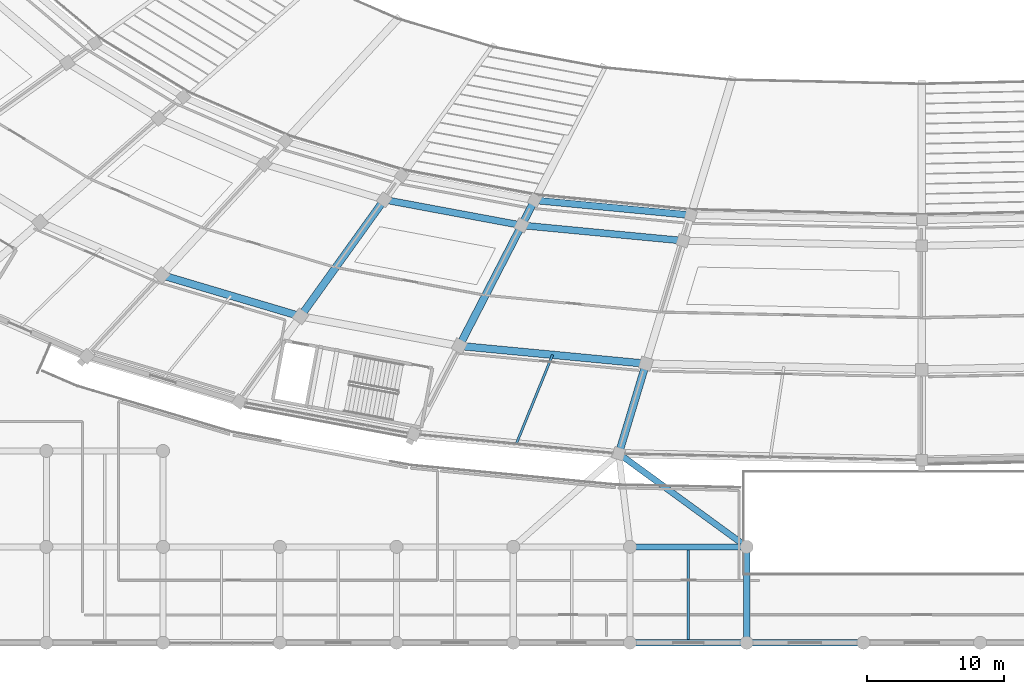
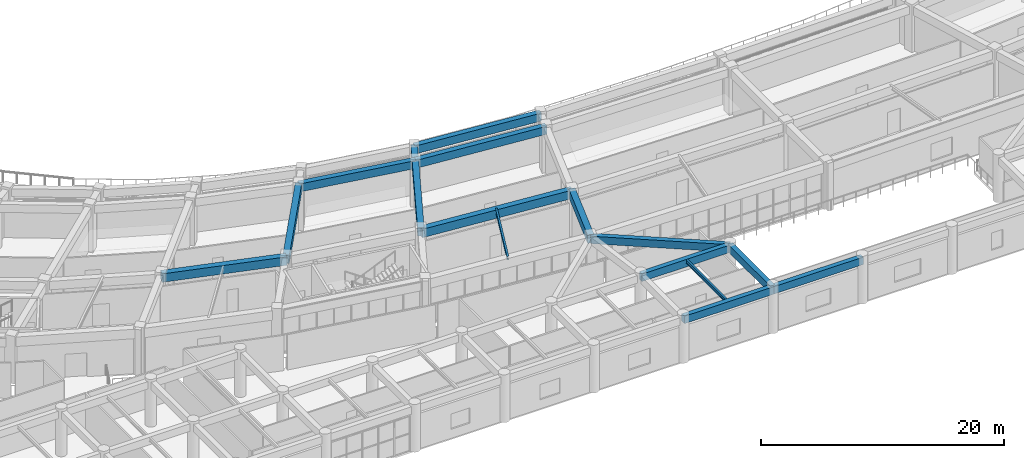
# One storey, part 23 of 152: 16 beams.
"""IFC4 building model written with IfcOpenShell, lengths in metres."""

from ifc_helpers import new_model, si_unit, direction, frame, origin, origin_2d, place, context, subcontext, project, spatial, rectangle, i_section, extrude, material, material_profile, profile_set, type_object, element, save


model = new_model("IFC4")

# Units and contexts
model_context = context("Model", 3, precision=1e-05, world=origin(), true_north=direction((0.0, 1.0)))
body_context = subcontext(model_context, "Body", "Model", "MODEL_VIEW")
ifc_project = project(units=[si_unit("LENGTHUNIT", "METRE"), si_unit("AREAUNIT", "SQUARE_METRE"), si_unit("VOLUMEUNIT", "CUBIC_METRE"), si_unit("PLANEANGLEUNIT", "RADIAN"), si_unit("MASSUNIT", "GRAM", prefix="KILO")], contexts=[model_context])

# Site, building, storey
site_placement = place(None, origin())
site = spatial("IfcSite", under=ifc_project, at=site_placement, CompositionType="ELEMENT")
building_placement = place(site_placement, origin())
building = spatial("IfcBuilding", under=site, at=building_placement, Name="Mphavela Belvedere Stadium", CompositionType="ELEMENT")
storey_placement = place(building_placement, frame((0.0, 0.0, 5.39990234375)))
storey = spatial("IfcBuildingStorey", under=building, at=storey_placement, Name="L01", CompositionType="ELEMENT", Elevation=5.39990234375)

# Beams
ifc_material_1 = material(Name="Steel S355", Category="steel")
ifc_material_profile_1 = material_profile(ifc_material_1, i_section(OverallWidth=0.169921875, OverallDepth=0.360107421875, WebThickness=0.008056640625, FlangeThickness=0.0126953125, at=origin_2d()), Name="IPE 360")
ifc_profile_set_1 = profile_set([ifc_material_profile_1], Name="Steel S355")
beam_type_1 = type_object("IfcBeamType", Name="BM-JOIST-IPE360", PredefinedType="JOIST", material=ifc_profile_set_1)
beam_1_placement = place(storey_placement, frame((88.05859375, 21.015380859375, 4.3701171875), z_axis=(-0.378004122754, -0.925803911841, 0.0), x_axis=(0.925803911841, -0.378004122754, 0.0)))
element("IfcBeam", 1, at=beam_1_placement, inside=storey, type_object=beam_type_1, Name="Concourse floor joist L01-35", PredefinedType="JOIST", context=body_context, shape_type="SweptSolid", body=[
    extrude(i_section(OverallWidth=0.169921875, OverallDepth=0.360107421875, WebThickness=0.008056640625, FlangeThickness=0.0126953125, at=origin_2d()), origin(), (0.0, 0.0, 1.0), 7.0166015625),
])
beam_2_placement = place(storey_placement, frame((97.962890625, 0.22509765625, 4.360107421875), z_axis=(0.0, 1.0, 0.0), x_axis=(-1.0, 0.0, 0.0)))
element("IfcBeam", 2, at=beam_2_placement, inside=storey, type_object=beam_type_1, Name="South Axial Triumphal Peristyle Portico secondary joist L01 12-1", PredefinedType="JOIST", context=body_context, shape_type="SweptSolid", body=[
    extrude(i_section(OverallWidth=0.169921875, OverallDepth=0.360107421875, WebThickness=0.008056640625, FlangeThickness=0.0126953125, at=origin_2d()), origin(), (0.0, 0.0, 1.0), 6.5498046875),
])
ifc_material_2 = material(Name="Concrete C40/50", Category="concrete")
ifc_material_profile_2 = material_profile(ifc_material_2, rectangle(XDim=0.449951171875, YDim=0.75, at=origin_2d()), Name="RC 450x750")
ifc_profile_set_2 = profile_set([ifc_material_profile_2], Name="Concrete C40/50")
beam_type_2 = type_object("IfcBeamType", Name="BM-RC450x750", PredefinedType="BEAM", material=ifc_profile_set_2)
for number, where, z_axis, x_axis, name in (
    (3, (93.7041015625, 0.0, 4.1650390625), (1.0, 0.0, 0.0), (0.0, 1.0, 0.0), "South Axial Triumphal Peristyle Portico entablature beam X L01 12-1"),
    (4, (93.7041015625, 7.0, 4.1650390625), (1.0, 0.0, 0.0), (0.0, 1.0, 0.0), "South Axial Triumphal Peristyle Portico entablature beam X L01 12-2"),
):
    element("IfcBeam", number, at=place(storey_placement, frame(where, z_axis=z_axis, x_axis=x_axis)), inside=storey, type_object=beam_type_2, Name=name, PredefinedType="BEAM", context=body_context, shape_type="SweptSolid", body=[
        extrude(rectangle(XDim=0.449951171875, YDim=0.75, at=origin_2d()), origin(), (0.0, 0.0, 1.0), 8.517822265625),
    ])
beam_3_placement = place(storey_placement, frame((102.221923828125, 0.0, 4.1650390625), z_axis=(1.0, 0.0, 0.0), x_axis=(0.0, 1.0, 0.0)))
element("IfcBeam", 5, at=beam_3_placement, inside=storey, type_object=beam_type_2, Name="South Axial Triumphal Peristyle Portico entablature beam X L01 13-1", PredefinedType="BEAM", context=body_context, shape_type="SweptSolid", body=[
    extrude(rectangle(XDim=0.449951171875, YDim=0.75, at=origin_2d()), origin(), (0.0, 0.0, 1.0), 8.51904296875),
])
beam_4_placement = place(storey_placement, frame((102.221923828125, 0.0, 4.1650390625), z_axis=(0.0, 1.0, 0.0), x_axis=(-1.0, 0.0, 0.0)))
element("IfcBeam", 6, at=beam_4_placement, inside=storey, type_object=beam_type_2, Name="South Axial Triumphal Peristyle Portico entablature beam Y L01 13-1", PredefinedType="BEAM", context=body_context, shape_type="SweptSolid", body=[
    extrude(rectangle(XDim=0.449951171875, YDim=0.75, at=origin_2d()), origin(), (0.0, 0.0, 1.0), 7.0),
])
beam_5_placement = place(storey_placement, frame((102.221923828125, 7.0, 4.1650390625), z_axis=(-0.808075844415, 0.589078457994, 0.0), x_axis=(-0.589078457994, -0.808075844415, 0.0)))
element("IfcBeam", 7, at=beam_5_placement, inside=storey, type_object=beam_type_2, Name="South Axial Triumphal Peristyle Portico bowl link girder L01-1", PredefinedType="BEAM", context=body_context, shape_type="SweptSolid", body=[
    extrude(rectangle(XDim=0.449951171875, YDim=0.75, at=origin_2d()), origin(), (0.0, 0.0, 1.0), 11.553955078125),
])
ifc_material_3 = material(Name="Concrete C40/50", Category="concrete")
ifc_material_profile_3 = material_profile(ifc_material_3, rectangle(XDim=0.5, YDim=0.800048828125, at=origin_2d()), Name="RC 500x800")
ifc_profile_set_3 = profile_set([ifc_material_profile_3], Name="Concrete C40/50")
beam_type_3 = type_object("IfcBeamType", Name="BM-RC500x800", PredefinedType="BEAM", material=ifc_profile_set_3)
beam_6_placement = place(storey_placement, frame((75.769775390625, 32.33349609375, 4.150146484375), z_axis=(0.983098802226, -0.183075790485, 0.0), x_axis=(0.183075790485, 0.983098802226, 0.0)))
element("IfcBeam", 8, at=beam_6_placement, inside=storey, type_object=beam_type_3, Name="Circumferential girder L01 R2-34", PredefinedType="BEAM", context=body_context, shape_type="SweptSolid", body=[
    extrude(rectangle(XDim=0.5, YDim=0.800048828125, at=origin_2d()), origin(), (0.0, 0.0, 1.0), 10.198974609375),
])
beam_7_placement = place(storey_placement, frame((86.74072265625, 32.294189453125, 4.150146484375), z_axis=(0.995485216305, -0.094916722014, 0.0), x_axis=(0.094916722014, 0.995485216305, 0.0)))
element("IfcBeam", 9, at=beam_7_placement, inside=storey, type_object=beam_type_3, Name="Circumferential girder L01 R1-35", PredefinedType="BEAM", context=body_context, shape_type="SweptSolid", body=[
    extrude(rectangle(XDim=0.5, YDim=0.800048828125, at=origin_2d()), origin(), (0.0, 0.0, 1.0), 11.453857421875),
])
beam_8_placement = place(storey_placement, frame((85.79638671875, 30.46630859375, 4.150146484375), z_axis=(0.9954829494, -0.094940494283, 0.0), x_axis=(0.094940494283, 0.9954829494, 0.0)))
element("IfcBeam", 10, at=beam_8_placement, inside=storey, type_object=beam_type_3, Name="Circumferential girder L01 R2-35", PredefinedType="BEAM", context=body_context, shape_type="SweptSolid", body=[
    extrude(rectangle(XDim=0.5, YDim=0.800048828125, at=origin_2d()), origin(), (0.0, 0.0, 1.0), 11.836669921875),
])
ifc_material_4 = material(Name="Concrete C40/50", Category="concrete")
ifc_material_profile_4 = material_profile(ifc_material_4, rectangle(XDim=0.550048828125, YDim=0.85009765625, at=origin_2d()), Name="RC 550x850")
ifc_profile_set_4 = profile_set([ifc_material_profile_4], Name="Concrete C40/50")
beam_type_4 = type_object("IfcBeamType", Name="BM-RC550x850", PredefinedType="BEAM", material=ifc_profile_set_4)
beam_9_placement = place(storey_placement, frame((59.523681640625, 26.83203125, 4.125), z_axis=(0.958655230784, -0.284570111731, 0.0), x_axis=(0.284570111731, 0.958655230784, 0.0)))
element("IfcBeam", 11, at=beam_9_placement, inside=storey, type_object=beam_type_4, Name="Circumferential girder L01 R3-33", PredefinedType="BEAM", context=body_context, shape_type="SweptSolid", body=[
    extrude(rectangle(XDim=0.550048828125, YDim=0.85009765625, at=origin_2d()), origin(), (0.0, 0.0, 1.0), 10.57568359375),
])
beam_10_placement = place(storey_placement, frame((75.769775390625, 32.33349609375, 4.125), z_axis=(-0.583031296474, -0.812449695262, 0.0), x_axis=(0.812449695262, -0.583031296474, 0.0)))
element("IfcBeam", 12, at=beam_10_placement, inside=storey, type_object=beam_type_4, Name="Radial concourse girder L01 R2R3-34", PredefinedType="BEAM", context=body_context, shape_type="SweptSolid", body=[
    extrude(rectangle(XDim=0.550048828125, YDim=0.85009765625, at=origin_2d()), origin(), (0.0, 0.0, 1.0), 10.475830078125),
])
beam_11_placement = place(storey_placement, frame((81.249755859375, 21.66455078125, 4.125), z_axis=(0.995483834103, -0.094931217412, 0.0), x_axis=(0.094931217412, 0.995483834103, 0.0)))
element("IfcBeam", 13, at=beam_11_placement, inside=storey, type_object=beam_type_4, Name="Circumferential girder L01 R3-35", PredefinedType="BEAM", context=body_context, shape_type="SweptSolid", body=[
    extrude(rectangle(XDim=0.550048828125, YDim=0.85009765625, at=origin_2d()), origin(), (0.0, 0.0, 1.0), 13.67919921875),
])
beam_12_placement = place(storey_placement, frame((86.74072265625, 32.294189453125, 4.125), z_axis=(-0.458993514161, -0.888439617508, 0.0), x_axis=(0.888439617508, -0.458993514161, 0.0)))
element("IfcBeam", 14, at=beam_12_placement, inside=storey, type_object=beam_type_4, Name="Radial concourse girder L01 R1R2-35", PredefinedType="BEAM", context=body_context, shape_type="SweptSolid", body=[
    extrude(rectangle(XDim=0.550048828125, YDim=0.85009765625, at=origin_2d()), origin(), (0.0, 0.0, 1.0), 2.057373046875),
])
beam_13_placement = place(storey_placement, frame((85.79638671875, 30.46630859375, 4.125), z_axis=(-0.458944837734, -0.888464763464, 0.0), x_axis=(0.888464763464, -0.458944837734, 0.0)))
element("IfcBeam", 15, at=beam_13_placement, inside=storey, type_object=beam_type_4, Name="Radial concourse girder L01 R2R3-35", PredefinedType="BEAM", context=body_context, shape_type="SweptSolid", body=[
    extrude(rectangle(XDim=0.550048828125, YDim=0.85009765625, at=origin_2d()), origin(), (0.0, 0.0, 1.0), 9.90673828125),
])
beam_14_placement = place(storey_placement, frame((94.8671875, 20.365966796875, 4.125), z_axis=(-0.28918755919, -0.95727245631, 0.0), x_axis=(0.95727245631, -0.28918755919, 0.0)))
element("IfcBeam", 16, at=beam_14_placement, inside=storey, type_object=beam_type_4, Name="Radial concourse girder L01 R3R4-36", PredefinedType="BEAM", context=body_context, shape_type="SweptSolid", body=[
    extrude(rectangle(XDim=0.550048828125, YDim=0.85009765625, at=origin_2d()), origin(), (0.0, 0.0, 1.0), 6.8525390625),
])

save(model, "model.ifc")
